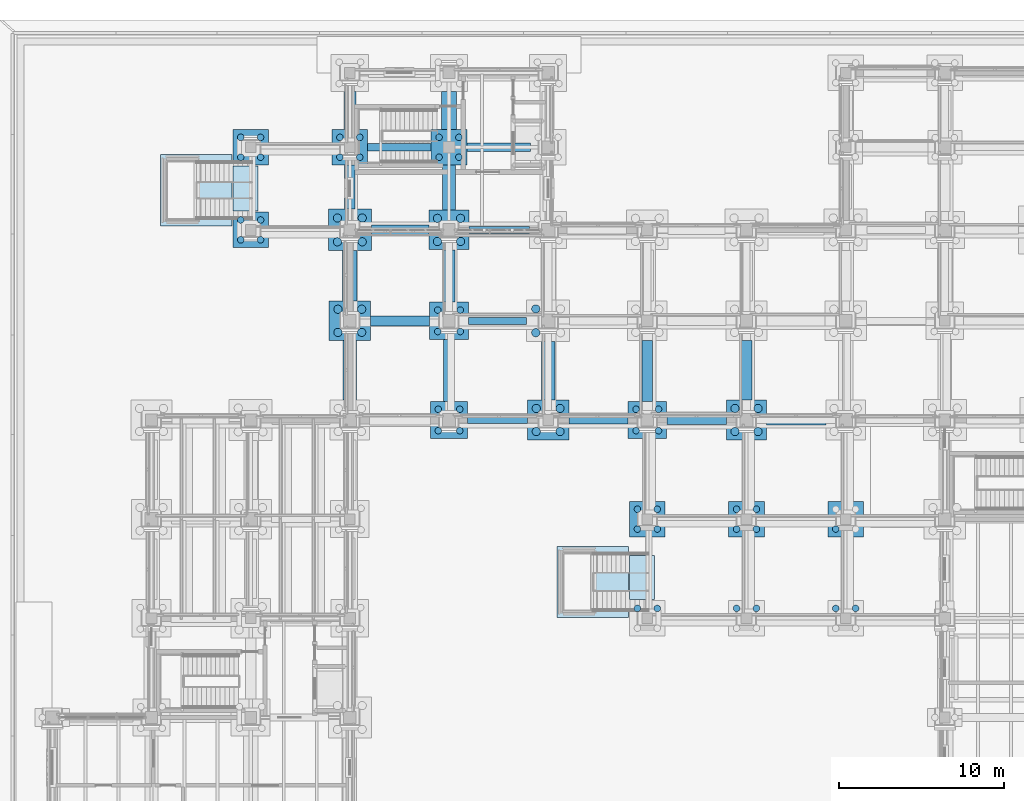
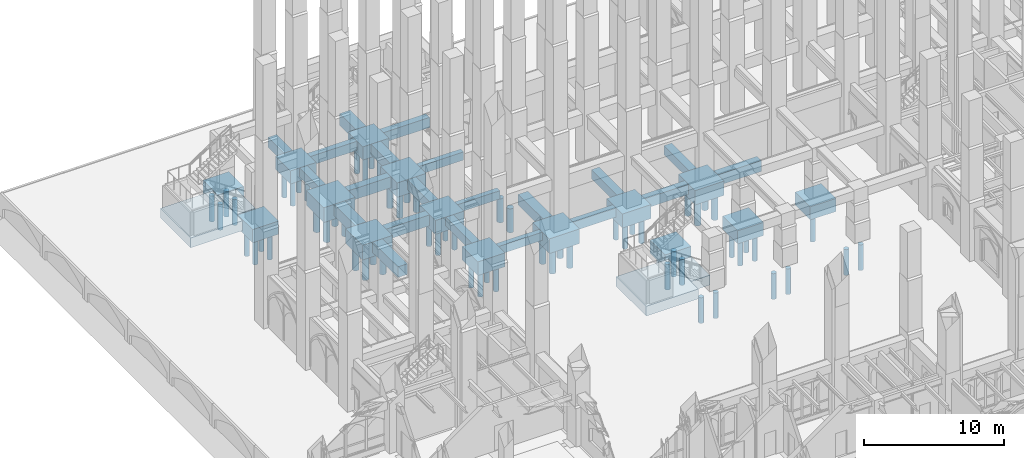
# One storey, part 4 of 135: 65 piles, 40 footings.
"""IFC4 building model written with IfcOpenShell, lengths in metres."""

from ifc_helpers import new_model, si_unit, direction, frame, origin, origin_2d, place, context, subcontext, project, spatial, polyline, rectangle, circle, outline, extrude, material, material_profile, profile_set, type_object, element, save


model = new_model("IFC4")

# Units and contexts
model_context = context("Model", 3, precision=1e-05, world=origin(), true_north=direction((0.0, 1.0)))
body_context = subcontext(model_context, "Body", "Model", "MODEL_VIEW")
ifc_project = project(units=[si_unit("LENGTHUNIT", "METRE"), si_unit("AREAUNIT", "SQUARE_METRE"), si_unit("VOLUMEUNIT", "CUBIC_METRE"), si_unit("PLANEANGLEUNIT", "RADIAN"), si_unit("MASSUNIT", "GRAM", prefix="KILO")], contexts=[model_context])

# Site, building, storey
site_placement = place(None, origin())
site = spatial("IfcSite", under=ifc_project, at=site_placement, CompositionType="ELEMENT")
building_placement = place(site_placement, origin())
building = spatial("IfcBuilding", under=site, at=building_placement, Name="Cumevento Cable Car Station", CompositionType="ELEMENT")
storey_placement = place(building_placement, origin())
storey = spatial("IfcBuildingStorey", under=building, at=storey_placement, Name="L01", CompositionType="ELEMENT", Elevation=0.0)

# Footings
ifc_material_1 = material(Name="Concrete C40/50", Category="concrete")
footing_type_1 = type_object("IfcFootingType", Name="Ground Beam GB-01 420x720", PredefinedType="FOOTING_BEAM", material=ifc_material_1)
footing_1_placement = place(storey_placement, frame((0.0, 0.0, -0.719970703125)))
element("IfcFooting", 1, at=footing_1_placement, inside=storey, type_object=footing_type_1, Name="Ground Tie Beam GB-01 #88", PredefinedType="FOOTING_BEAM", context=body_context, shape_type="SweptSolid", body=[
    extrude(outline(polyline([(29.126953125, 44.7900390625), (32.748046875, 44.7900390625), (32.748046875, 45.2099609375), (29.126953125, 45.2099609375), (29.126953125, 44.7900390625)])), origin(), (0.0, 0.0, 1.0), 0.719970703125),
])
footing_2_placement = place(storey_placement, frame((0.0, 0.0, -0.719970703125)))
element("IfcFooting", 2, at=footing_2_placement, inside=storey, type_object=footing_type_1, Name="Ground Tie Beam GB-01 #112", PredefinedType="FOOTING_BEAM", context=body_context, shape_type="SweptSolid", body=[
    extrude(outline(polyline([(29.177001953125, 50.7900390625), (32.697998046875, 50.7900390625), (32.697998046875, 51.2099609375), (29.177001953125, 51.2099609375), (29.177001953125, 50.7900390625)])), origin(), (0.0, 0.0, 1.0), 0.719970703125),
])
footing_3_placement = place(storey_placement, frame((0.0, 0.0, -0.719970703125)))
element("IfcFooting", 3, at=footing_3_placement, inside=storey, type_object=footing_type_1, Name="Ground Tie Beam GB-01 #132", PredefinedType="FOOTING_BEAM", context=body_context, shape_type="SweptSolid", body=[
    extrude(outline(polyline([(29.201904296875, 56.2900390625), (32.873046875, 56.2900390625), (32.873046875, 56.7099609375), (29.201904296875, 56.7099609375), (29.201904296875, 56.2900390625)])), origin(), (0.0, 0.0, 1.0), 0.719970703125),
])
ifc_material_2 = material(Name="Concrete C40/50", Category="concrete")
footing_type_2 = type_object("IfcFootingType", Name="Ground Beam GB-02 480x800", PredefinedType="FOOTING_BEAM", material=ifc_material_2)
footing_4_placement = place(storey_placement, frame((0.0, 0.0, -0.800048828125)))
element("IfcFooting", 4, at=footing_4_placement, inside=storey, type_object=footing_type_2, Name="Ground Tie Beam GB-02 #89", PredefinedType="FOOTING_BEAM", context=body_context, shape_type="SweptSolid", body=[
    extrude(outline(polyline([(35.251953125, 44.760009765625), (38.822998046875, 44.760009765625), (38.822998046875, 45.239990234375), (35.251953125, 45.239990234375), (35.251953125, 44.760009765625)])), origin(), (0.0, 0.0, 1.0), 0.800048828125),
])
footing_5_placement = place(storey_placement, frame((0.0, 0.0, -0.800048828125)))
element("IfcFooting", 5, at=footing_5_placement, inside=storey, type_object=footing_type_2, Name="Ground Tie Beam GB-02 #149", PredefinedType="FOOTING_BEAM", context=body_context, shape_type="SweptSolid", body=[
    extrude(outline(polyline([(23.076904296875, 61.260009765625), (26.923095703125, 61.260009765625), (26.923095703125, 61.739990234375), (23.076904296875, 61.739990234375), (23.076904296875, 61.260009765625)])), origin(), (0.0, 0.0, 1.0), 0.800048828125),
])
ifc_material_3 = material(Name="Concrete C40/50", Category="concrete")
footing_type_3 = type_object("IfcFootingType", Name="Ground Beam GB-03 540x880", PredefinedType="FOOTING_BEAM", material=ifc_material_3)
footing_6_placement = place(storey_placement, frame((0.0, 0.0, -0.8798828125)))
element("IfcFooting", 6, at=footing_6_placement, inside=storey, type_object=footing_type_3, Name="Ground Tie Beam GB-03 #90", PredefinedType="FOOTING_BEAM", context=body_context, shape_type="SweptSolid", body=[
    extrude(outline(polyline([(41.177001953125, 44.72998046875), (44.798095703125, 44.72998046875), (44.798095703125, 45.27001953125), (41.177001953125, 45.27001953125), (41.177001953125, 44.72998046875)])), origin(), (0.0, 0.0, 1.0), 0.8798828125),
])
footing_7_placement = place(storey_placement, frame((0.0, 0.0, -0.8798828125)))
element("IfcFooting", 7, at=footing_7_placement, inside=storey, type_object=footing_type_3, Name="Ground Tie Beam GB-03 #150", PredefinedType="FOOTING_BEAM", context=body_context, shape_type="SweptSolid", body=[
    extrude(outline(polyline([(29.076904296875, 61.22998046875), (32.923095703125, 61.22998046875), (32.923095703125, 61.77001953125), (29.076904296875, 61.77001953125), (29.076904296875, 61.22998046875)])), origin(), (0.0, 0.0, 1.0), 0.8798828125),
])
ifc_material_4 = material(Name="Concrete C40/50", Category="concrete")
footing_type_4 = type_object("IfcFootingType", Name="Ground Beam GB-04 600x960", PredefinedType="FOOTING_BEAM", material=ifc_material_4)
footing_8_placement = place(storey_placement, frame((0.0, 0.0, -0.9599609375)))
element("IfcFooting", 8, at=footing_8_placement, inside=storey, type_object=footing_type_4, Name="Ground Tie Beam GB-04 #91", PredefinedType="FOOTING_BEAM", context=body_context, shape_type="SweptSolid", body=[
    extrude(outline(polyline([(47.201904296875, 44.699951171875), (50.798095703125, 44.699951171875), (50.798095703125, 45.300048828125), (47.201904296875, 45.300048828125), (47.201904296875, 44.699951171875)])), origin(), (0.0, 0.0, 1.0), 0.9599609375),
])
footing_9_placement = place(storey_placement, frame((0.0, 0.0, -0.9599609375)))
element("IfcFooting", 9, at=footing_9_placement, inside=storey, type_object=footing_type_4, Name="Ground Tie Beam GB-04 #111", PredefinedType="FOOTING_BEAM", context=body_context, shape_type="SweptSolid", body=[
    extrude(outline(polyline([(23.251953125, 50.699951171875), (26.822998046875, 50.699951171875), (26.822998046875, 51.300048828125), (23.251953125, 51.300048828125), (23.251953125, 50.699951171875)])), origin(), (0.0, 0.0, 1.0), 0.9599609375),
])
footing_10_placement = place(storey_placement, frame((0.0, 0.0, -0.9599609375)))
element("IfcFooting", 10, at=footing_10_placement, inside=storey, type_object=footing_type_4, Name="Ground Tie Beam GB-04 #131", PredefinedType="FOOTING_BEAM", context=body_context, shape_type="SweptSolid", body=[
    extrude(outline(polyline([(23.302001953125, 56.199951171875), (26.798095703125, 56.199951171875), (26.798095703125, 56.800048828125), (23.302001953125, 56.800048828125), (23.302001953125, 56.199951171875)])), origin(), (0.0, 0.0, 1.0), 0.9599609375),
])

# Piles
ifc_material_5 = material(Name="Concrete C40/50", Category="concrete")
ifc_material_profile_1 = material_profile(ifc_material_5, circle(Radius=0.199951171875, at=origin_2d()), Name="PILE-D400")
ifc_profile_set_1 = profile_set([ifc_material_profile_1], Name="Concrete C40/50")
pile_type_1 = type_object("IfcPileType", Name="PILE-BORED-400", PredefinedType="BORED", material=ifc_profile_set_1)
for number, where, z_axis, x_axis, name in (
    (11, (21.39990234375, 60.89990234375, -1.14990234375), (0.0, 0.0, -1.0), (1.0, 0.0, 0.0), "Bored Pile PL-400 #79"),
    (12, (22.60009765625, 60.89990234375, -1.14990234375), (0.0, 0.0, -1.0), (1.0, 0.0, 0.0), "Bored Pile PL-400 #80"),
    (13, (21.39990234375, 62.10009765625, -1.14990234375), (0.0, 0.0, -1.0), (1.0, 0.0, 0.0), "Bored Pile PL-400 #81"),
    (14, (22.60009765625, 62.10009765625, -1.14990234375), (0.0, 0.0, -1.0), (1.0, 0.0, 0.0), "Bored Pile PL-400 #82"),
):
    element("IfcPile", number, at=place(storey_placement, frame(where, z_axis=z_axis, x_axis=x_axis)), inside=storey, type_object=pile_type_1, Name=name, PredefinedType="BORED", context=body_context, shape_type="SweptSolid", body=[
        extrude(circle(Radius=0.199951171875, at=origin_2d()), origin(), (0.0, 0.0, 1.0), 2.25),
    ])
for number, where, z_axis, x_axis, name in (
    (15, (27.35009765625, 44.35009765625, -1.199951171875), (0.0, 0.0, -1.0), (1.0, 0.0, 0.0), "Bored Pile PL-400 #93"),
    (16, (28.64990234375, 44.35009765625, -1.199951171875), (0.0, 0.0, -1.0), (1.0, 0.0, 0.0), "Bored Pile PL-400 #94"),
    (17, (27.35009765625, 45.64990234375, -1.199951171875), (0.0, 0.0, -1.0), (1.0, 0.0, 0.0), "Bored Pile PL-400 #95"),
    (18, (28.64990234375, 45.64990234375, -1.199951171875), (0.0, 0.0, -1.0), (1.0, 0.0, 0.0), "Bored Pile PL-400 #96"),
):
    element("IfcPile", number, at=place(storey_placement, frame(where, z_axis=z_axis, x_axis=x_axis)), inside=storey, type_object=pile_type_1, Name=name, PredefinedType="BORED", context=body_context, shape_type="SweptSolid", body=[
        extrude(circle(Radius=0.199951171875, at=origin_2d()), origin(), (0.0, 0.0, 1.0), 2.199951171875),
    ])
for number, where, z_axis, x_axis, name in (
    (19, (27.320068359375, 50.35009765625, -1.219970703125), (0.0, 0.0, -1.0), (1.0, 0.0, 0.0), "Bored Pile PL-400 #97"),
    (20, (28.679931640625, 50.35009765625, -1.219970703125), (0.0, 0.0, -1.0), (1.0, 0.0, 0.0), "Bored Pile PL-400 #98"),
    (21, (27.320068359375, 51.64990234375, -1.219970703125), (0.0, 0.0, -1.0), (1.0, 0.0, 0.0), "Bored Pile PL-400 #99"),
    (22, (28.679931640625, 51.64990234375, -1.219970703125), (0.0, 0.0, -1.0), (1.0, 0.0, 0.0), "Bored Pile PL-400 #100"),
):
    element("IfcPile", number, at=place(storey_placement, frame(where, z_axis=z_axis, x_axis=x_axis)), inside=storey, type_object=pile_type_1, Name=name, PredefinedType="BORED", context=body_context, shape_type="SweptSolid", body=[
        extrude(circle(Radius=0.199951171875, at=origin_2d()), origin(), (0.0, 0.0, 1.0), 2.179931640625),
    ])
for number, where, z_axis, x_axis, name in (
    (23, (27.39990234375, 60.89990234375, -1.14990234375), (0.0, 0.0, -1.0), (1.0, 0.0, 0.0), "Bored Pile PL-400 #105"),
    (24, (28.60009765625, 60.89990234375, -1.14990234375), (0.0, 0.0, -1.0), (1.0, 0.0, 0.0), "Bored Pile PL-400 #106"),
    (25, (27.39990234375, 62.10009765625, -1.14990234375), (0.0, 0.0, -1.0), (1.0, 0.0, 0.0), "Bored Pile PL-400 #107"),
    (26, (28.60009765625, 62.10009765625, -1.14990234375), (0.0, 0.0, -1.0), (1.0, 0.0, 0.0), "Bored Pile PL-400 #108"),
):
    element("IfcPile", number, at=place(storey_placement, frame(where, z_axis=z_axis, x_axis=x_axis)), inside=storey, type_object=pile_type_1, Name=name, PredefinedType="BORED", context=body_context, shape_type="SweptSolid", body=[
        extrude(circle(Radius=0.199951171875, at=origin_2d()), origin(), (0.0, 0.0, 1.0), 2.25),
    ])
for number, where, z_axis, x_axis, name in (
    (27, (39.320068359375, 44.35009765625, -1.219970703125), (0.0, 0.0, -1.0), (1.0, 0.0, 0.0), "Bored Pile PL-400 #149"),
    (28, (40.679931640625, 44.35009765625, -1.219970703125), (0.0, 0.0, -1.0), (1.0, 0.0, 0.0), "Bored Pile PL-400 #150"),
    (29, (39.320068359375, 45.64990234375, -1.219970703125), (0.0, 0.0, -1.0), (1.0, 0.0, 0.0), "Bored Pile PL-400 #151"),
    (30, (40.679931640625, 45.64990234375, -1.219970703125), (0.0, 0.0, -1.0), (1.0, 0.0, 0.0), "Bored Pile PL-400 #152"),
):
    element("IfcPile", number, at=place(storey_placement, frame(where, z_axis=z_axis, x_axis=x_axis)), inside=storey, type_object=pile_type_1, Name=name, PredefinedType="BORED", context=body_context, shape_type="SweptSolid", body=[
        extrude(circle(Radius=0.199951171875, at=origin_2d()), origin(), (0.0, 0.0, 1.0), 2.179931640625),
    ])
for number, where, z_axis, x_axis, name in (
    (31, (39.39990234375, 33.60009765625, -1.14990234375), (0.0, 0.0, -1.0), (1.0, 0.0, 0.0), "Bored Pile PL-400 Ext #19"),
    (32, (40.60009765625, 33.60009765625, -1.14990234375), (0.0, 0.0, -1.0), (1.0, 0.0, 0.0), "Bored Pile PL-400 Ext #20"),
    (33, (39.39990234375, 38.39990234375, -1.14990234375), (0.0, 0.0, -1.0), (1.0, 0.0, 0.0), "Bored Pile PL-400 Ext #21"),
    (34, (40.60009765625, 38.39990234375, -1.14990234375), (0.0, 0.0, -1.0), (1.0, 0.0, 0.0), "Bored Pile PL-400 Ext #22"),
    (35, (39.39990234375, 39.60009765625, -1.14990234375), (0.0, 0.0, -1.0), (1.0, 0.0, 0.0), "Bored Pile PL-400 Ext #23"),
    (36, (40.60009765625, 39.60009765625, -1.14990234375), (0.0, 0.0, -1.0), (1.0, 0.0, 0.0), "Bored Pile PL-400 Ext #24"),
    (37, (45.39990234375, 33.60009765625, -1.14990234375), (0.0, 0.0, -1.0), (1.0, 0.0, 0.0), "Bored Pile PL-400 Ext #27"),
    (38, (46.60009765625, 33.60009765625, -1.14990234375), (0.0, 0.0, -1.0), (1.0, 0.0, 0.0), "Bored Pile PL-400 Ext #28"),
    (39, (45.39990234375, 38.39990234375, -1.14990234375), (0.0, 0.0, -1.0), (1.0, 0.0, 0.0), "Bored Pile PL-400 Ext #29"),
    (40, (46.60009765625, 38.39990234375, -1.14990234375), (0.0, 0.0, -1.0), (1.0, 0.0, 0.0), "Bored Pile PL-400 Ext #30"),
    (41, (45.39990234375, 39.60009765625, -1.14990234375), (0.0, 0.0, -1.0), (1.0, 0.0, 0.0), "Bored Pile PL-400 Ext #31"),
    (42, (46.60009765625, 39.60009765625, -1.14990234375), (0.0, 0.0, -1.0), (1.0, 0.0, 0.0), "Bored Pile PL-400 Ext #32"),
    (43, (51.39990234375, 33.60009765625, -1.14990234375), (0.0, 0.0, -1.0), (1.0, 0.0, 0.0), "Bored Pile PL-400 Ext #35"),
    (44, (52.60009765625, 33.60009765625, -1.14990234375), (0.0, 0.0, -1.0), (1.0, 0.0, 0.0), "Bored Pile PL-400 Ext #36"),
    (45, (51.39990234375, 38.39990234375, -1.14990234375), (0.0, 0.0, -1.0), (1.0, 0.0, 0.0), "Bored Pile PL-400 Ext #37"),
    (46, (15.39990234375, 55.89990234375, -1.14990234375), (0.0, 0.0, -1.0), (1.0, 0.0, 0.0), "Bored Pile PL-400 Ext #49"),
    (47, (16.60009765625, 55.89990234375, -1.14990234375), (0.0, 0.0, -1.0), (1.0, 0.0, 0.0), "Bored Pile PL-400 Ext #50"),
    (48, (15.39990234375, 57.10009765625, -1.14990234375), (0.0, 0.0, -1.0), (1.0, 0.0, 0.0), "Bored Pile PL-400 Ext #51"),
    (49, (16.60009765625, 57.10009765625, -1.14990234375), (0.0, 0.0, -1.0), (1.0, 0.0, 0.0), "Bored Pile PL-400 Ext #52"),
    (50, (15.39990234375, 60.89990234375, -1.14990234375), (0.0, 0.0, -1.0), (1.0, 0.0, 0.0), "Bored Pile PL-400 Ext #53"),
    (51, (16.60009765625, 60.89990234375, -1.14990234375), (0.0, 0.0, -1.0), (1.0, 0.0, 0.0), "Bored Pile PL-400 Ext #54"),
    (52, (15.39990234375, 62.10009765625, -1.14990234375), (0.0, 0.0, -1.0), (1.0, 0.0, 0.0), "Bored Pile PL-400 Ext #55"),
    (53, (16.60009765625, 62.10009765625, -1.14990234375), (0.0, 0.0, -1.0), (1.0, 0.0, 0.0), "Bored Pile PL-400 Ext #56"),
):
    element("IfcPile", number, at=place(storey_placement, frame(where, z_axis=z_axis, x_axis=x_axis)), inside=storey, type_object=pile_type_1, Name=name, PredefinedType="BORED", context=body_context, shape_type="SweptSolid", body=[
        extrude(circle(Radius=0.199951171875, at=origin_2d()), origin(), (0.0, 0.0, 1.0), 2.25),
    ])
ifc_material_6 = material(Name="Concrete C40/50", Category="concrete")
ifc_material_profile_2 = material_profile(ifc_material_6, circle(Radius=0.25, at=origin_2d()), Name="PILE-D500")
ifc_profile_set_2 = profile_set([ifc_material_profile_2], Name="Concrete C40/50")
pile_type_2 = type_object("IfcPileType", Name="PILE-BORED-500", PredefinedType="BORED", material=ifc_profile_set_2)
for number, where, z_axis, x_axis, name in (
    (54, (21.280029296875, 50.300048828125, -1.280029296875), (0.0, 0.0, -1.0), (1.0, 0.0, 0.0), "Bored Pile PL-500 #71"),
    (55, (22.719970703125, 50.300048828125, -1.280029296875), (0.0, 0.0, -1.0), (1.0, 0.0, 0.0), "Bored Pile PL-500 #72"),
    (56, (21.280029296875, 51.699951171875, -1.280029296875), (0.0, 0.0, -1.0), (1.0, 0.0, 0.0), "Bored Pile PL-500 #73"),
    (57, (22.719970703125, 51.699951171875, -1.280029296875), (0.0, 0.0, -1.0), (1.0, 0.0, 0.0), "Bored Pile PL-500 #74"),
):
    element("IfcPile", number, at=place(storey_placement, frame(where, z_axis=z_axis, x_axis=x_axis)), inside=storey, type_object=pile_type_2, Name=name, PredefinedType="BORED", context=body_context, shape_type="SweptSolid", body=[
        extrude(circle(Radius=0.25, at=origin_2d()), origin(), (0.0, 0.0, 1.0), 2.1201171875),
    ])
for number, where, z_axis, x_axis, name in (
    (58, (21.25, 55.780029296875, -1.300048828125), (0.0, 0.0, -1.0), (1.0, 0.0, 0.0), "Bored Pile PL-500 #75"),
    (59, (22.75, 55.780029296875, -1.300048828125), (0.0, 0.0, -1.0), (1.0, 0.0, 0.0), "Bored Pile PL-500 #76"),
    (60, (21.25, 57.219970703125, -1.300048828125), (0.0, 0.0, -1.0), (1.0, 0.0, 0.0), "Bored Pile PL-500 #77"),
    (61, (22.75, 57.219970703125, -1.300048828125), (0.0, 0.0, -1.0), (1.0, 0.0, 0.0), "Bored Pile PL-500 #78"),
):
    element("IfcPile", number, at=place(storey_placement, frame(where, z_axis=z_axis, x_axis=x_axis)), inside=storey, type_object=pile_type_2, Name=name, PredefinedType="BORED", context=body_context, shape_type="SweptSolid", body=[
        extrude(circle(Radius=0.25, at=origin_2d()), origin(), (0.0, 0.0, 1.0), 2.10009765625),
    ])
for number, where, z_axis, x_axis, name in (
    (62, (27.300048828125, 55.800048828125, -1.25), (0.0, 0.0, -1.0), (1.0, 0.0, 0.0), "Bored Pile PL-500 #101"),
    (63, (28.699951171875, 55.800048828125, -1.25), (0.0, 0.0, -1.0), (1.0, 0.0, 0.0), "Bored Pile PL-500 #102"),
    (64, (27.300048828125, 57.199951171875, -1.25), (0.0, 0.0, -1.0), (1.0, 0.0, 0.0), "Bored Pile PL-500 #103"),
    (65, (28.699951171875, 57.199951171875, -1.25), (0.0, 0.0, -1.0), (1.0, 0.0, 0.0), "Bored Pile PL-500 #104"),
):
    element("IfcPile", number, at=place(storey_placement, frame(where, z_axis=z_axis, x_axis=x_axis)), inside=storey, type_object=pile_type_2, Name=name, PredefinedType="BORED", context=body_context, shape_type="SweptSolid", body=[
        extrude(circle(Radius=0.25, at=origin_2d()), origin(), (0.0, 0.0, 1.0), 2.14990234375),
    ])
for number, where, z_axis, x_axis, name in (
    (66, (33.280029296875, 44.300048828125, -1.280029296875), (0.0, 0.0, -1.0), (1.0, 0.0, 0.0), "Bored Pile PL-500 #119"),
    (67, (34.719970703125, 44.300048828125, -1.280029296875), (0.0, 0.0, -1.0), (1.0, 0.0, 0.0), "Bored Pile PL-500 #120"),
    (68, (33.280029296875, 45.699951171875, -1.280029296875), (0.0, 0.0, -1.0), (1.0, 0.0, 0.0), "Bored Pile PL-500 #121"),
    (69, (34.719970703125, 45.699951171875, -1.280029296875), (0.0, 0.0, -1.0), (1.0, 0.0, 0.0), "Bored Pile PL-500 #122"),
):
    element("IfcPile", number, at=place(storey_placement, frame(where, z_axis=z_axis, x_axis=x_axis)), inside=storey, type_object=pile_type_2, Name=name, PredefinedType="BORED", context=body_context, shape_type="SweptSolid", body=[
        extrude(circle(Radius=0.25, at=origin_2d()), origin(), (0.0, 0.0, 1.0), 2.1201171875),
    ])
for number, where, z_axis, x_axis, name in (
    (70, (33.25, 50.280029296875, -1.300048828125), (0.0, 0.0, -1.0), (1.0, 0.0, 0.0), "Bored Pile PL-500 #123"),
    (71, (33.25, 51.719970703125, -1.300048828125), (0.0, 0.0, -1.0), (1.0, 0.0, 0.0), "Bored Pile PL-500 #125"),
):
    element("IfcPile", number, at=place(storey_placement, frame(where, z_axis=z_axis, x_axis=x_axis)), inside=storey, type_object=pile_type_2, Name=name, PredefinedType="BORED", context=body_context, shape_type="SweptSolid", body=[
        extrude(circle(Radius=0.25, at=origin_2d()), origin(), (0.0, 0.0, 1.0), 2.10009765625),
    ])
for number, where, z_axis, x_axis, name in (
    (72, (45.300048828125, 44.300048828125, -1.25), (0.0, 0.0, -1.0), (1.0, 0.0, 0.0), "Bored Pile PL-500 #167"),
    (73, (46.699951171875, 44.300048828125, -1.25), (0.0, 0.0, -1.0), (1.0, 0.0, 0.0), "Bored Pile PL-500 #168"),
    (74, (45.300048828125, 45.699951171875, -1.25), (0.0, 0.0, -1.0), (1.0, 0.0, 0.0), "Bored Pile PL-500 #169"),
    (75, (46.699951171875, 45.699951171875, -1.25), (0.0, 0.0, -1.0), (1.0, 0.0, 0.0), "Bored Pile PL-500 #170"),
):
    element("IfcPile", number, at=place(storey_placement, frame(where, z_axis=z_axis, x_axis=x_axis)), inside=storey, type_object=pile_type_2, Name=name, PredefinedType="BORED", context=body_context, shape_type="SweptSolid", body=[
        extrude(circle(Radius=0.25, at=origin_2d()), origin(), (0.0, 0.0, 1.0), 2.14990234375),
    ])

# Footings
ifc_material_7 = material(Name="Concrete C40/50", Category="concrete")
footing_type_5 = type_object("IfcFootingType", Name="Pile Cap PC-06 2150x2150x1150", PredefinedType="PILE_CAP", material=ifc_material_7)
for number, where, z_axis, x_axis, name in (
    (76, (22.0, 61.5, -1.14990234375), (0.0, 0.0, 1.0), (1.0, 0.0, 0.0), "Pile Cap PC-06 at (22.0,61.5)"),
    (77, (28.0, 61.5, -1.14990234375), (0.0, 0.0, 1.0), (1.0, 0.0, 0.0), "Pile Cap PC-06 at (28.0,61.5)"),
    (78, (40.0, 39.0, -1.14990234375), (0.0, 0.0, 1.0), (1.0, 0.0, 0.0), "Pile Cap PC-06 at (40.0,39.0)"),
    (79, (46.0, 39.0, -1.14990234375), (0.0, 0.0, 1.0), (1.0, 0.0, 0.0), "Pile Cap PC-06 at (46.0,39.0)"),
    (80, (52.0, 39.0, -1.14990234375), (0.0, 0.0, 1.0), (1.0, 0.0, 0.0), "Pile Cap PC-06 at (52.0,39.0)"),
    (81, (16.0, 56.5, -1.14990234375), (0.0, 0.0, 1.0), (1.0, 0.0, 0.0), "Pile Cap PC-06 at (16.0,56.5)"),
    (82, (16.0, 61.5, -1.14990234375), (0.0, 0.0, 1.0), (1.0, 0.0, 0.0), "Pile Cap PC-06 at (16.0,61.5)"),
):
    element("IfcFooting", number, at=place(storey_placement, frame(where, z_axis=z_axis, x_axis=x_axis)), inside=storey, type_object=footing_type_5, Name=name, PredefinedType="PILE_CAP", context=body_context, shape_type="SweptSolid", body=[
        extrude(rectangle(XDim=2.14990234375, YDim=2.14990234375, at=origin_2d()), origin(), (0.0, 0.0, 1.0), 1.14990234375),
    ])
ifc_material_8 = material(Name="Concrete C40/50", Category="concrete")
footing_type_6 = type_object("IfcFootingType", Name="Pile Cap PC-07 2250x2250x1200", PredefinedType="PILE_CAP", material=ifc_material_8)
footing_11_placement = place(storey_placement, frame((28.0, 45.0, -1.2001953125), z_axis=(0.0, 0.0, 1.0), x_axis=(1.0, 0.0, 0.0)))
element("IfcFooting", 83, at=footing_11_placement, inside=storey, type_object=footing_type_6, Name="Pile Cap PC-07 at (28.0,45.0)", PredefinedType="PILE_CAP", context=body_context, shape_type="SweptSolid", body=[
    extrude(rectangle(XDim=2.25, YDim=2.25, at=origin_2d()), origin(), (0.0, 0.0, 1.0), 1.199951171875),
])
ifc_material_9 = material(Name="Concrete C40/50", Category="concrete")
footing_type_7 = type_object("IfcFootingType", Name="Pile Cap PC-08 2350x2250x1220", PredefinedType="PILE_CAP", material=ifc_material_9)
for number, where, z_axis, x_axis, name in (
    (84, (28.0, 51.0, -1.22021484375), (0.0, 0.0, 1.0), (1.0, 0.0, 0.0), "Pile Cap PC-08 at (28.0,51.0)"),
    (85, (40.0, 45.0, -1.22021484375), (0.0, 0.0, 1.0), (1.0, 0.0, 0.0), "Pile Cap PC-08 at (40.0,45.0)"),
):
    element("IfcFooting", number, at=place(storey_placement, frame(where, z_axis=z_axis, x_axis=x_axis)), inside=storey, type_object=footing_type_7, Name=name, PredefinedType="PILE_CAP", context=body_context, shape_type="SweptSolid", body=[
        extrude(rectangle(XDim=2.35009765625, YDim=2.25, at=origin_2d()), origin(), (0.0, 0.0, 1.0), 1.219970703125),
    ])
ifc_material_10 = material(Name="Concrete C40/50", Category="concrete")
footing_type_8 = type_object("IfcFootingType", Name="Pile Cap PC-09 2400x2400x1250", PredefinedType="PILE_CAP", material=ifc_material_10)
for number, where, z_axis, x_axis, name in (
    (86, (28.0, 56.5, -1.25), (0.0, 0.0, 1.0), (1.0, 0.0, 0.0), "Pile Cap PC-09 at (28.0,56.5)"),
    (87, (46.0, 45.0, -1.25), (0.0, 0.0, 1.0), (1.0, 0.0, 0.0), "Pile Cap PC-09 at (46.0,45.0)"),
):
    element("IfcFooting", number, at=place(storey_placement, frame(where, z_axis=z_axis, x_axis=x_axis)), inside=storey, type_object=footing_type_8, Name=name, PredefinedType="PILE_CAP", context=body_context, shape_type="SweptSolid", body=[
        extrude(rectangle(XDim=2.39990234375, YDim=2.39990234375, at=origin_2d()), origin(), (0.0, 0.0, 1.0), 1.25),
    ])
ifc_material_11 = material(Name="Concrete C40/50", Category="concrete")
footing_type_9 = type_object("IfcFootingType", Name="Pile Cap PC-10 2500x2400x1280", PredefinedType="PILE_CAP", material=ifc_material_11)
for number, where, z_axis, x_axis, name in (
    (88, (22.0, 51.0, -1.27978515625), (0.0, 0.0, 1.0), (1.0, 0.0, 0.0), "Pile Cap PC-10 at (22.0,51.0)"),
    (89, (34.0, 45.0, -1.27978515625), (0.0, 0.0, 1.0), (1.0, 0.0, 0.0), "Pile Cap PC-10 at (34.0,45.0)"),
):
    element("IfcFooting", number, at=place(storey_placement, frame(where, z_axis=z_axis, x_axis=x_axis)), inside=storey, type_object=footing_type_9, Name=name, PredefinedType="PILE_CAP", context=body_context, shape_type="SweptSolid", body=[
        extrude(rectangle(XDim=2.5, YDim=2.39990234375, at=origin_2d()), origin(), (0.0, 0.0, 1.0), 1.280029296875),
    ])
ifc_material_12 = material(Name="Concrete C40/50", Category="concrete")
footing_type_10 = type_object("IfcFootingType", Name="Pile Cap PC-11 2600x2500x1300", PredefinedType="PILE_CAP", material=ifc_material_12)
footing_12_placement = place(storey_placement, frame((22.0, 56.5, -1.2998046875), z_axis=(0.0, 0.0, 1.0), x_axis=(1.0, 0.0, 0.0)))
element("IfcFooting", 90, at=footing_12_placement, inside=storey, type_object=footing_type_10, Name="Pile Cap PC-11 at (22.0,56.5)", PredefinedType="PILE_CAP", context=body_context, shape_type="SweptSolid", body=[
    extrude(rectangle(XDim=2.60009765625, YDim=2.5, at=origin_2d()), origin(), (0.0, 0.0, 1.0), 1.300048828125),
])
ifc_material_13 = material(Name="Concrete C40/50", Category="concrete")
footing_type_11 = type_object("IfcFootingType", Name="Strip Footing SF-01 640x780", PredefinedType="STRIP_FOOTING", material=ifc_material_13)
footing_13_placement = place(storey_placement, frame((0.0, 0.0, -0.780029296875)))
element("IfcFooting", 91, at=footing_13_placement, inside=storey, type_object=footing_type_11, Name="Strip Footing SF-01 #180", PredefinedType="STRIP_FOOTING", context=body_context, shape_type="SweptSolid", body=[
    extrude(outline(polyline([(21.679931640625, 57.751953125), (22.320068359375, 57.751953125), (22.320068359375, 60.423095703125), (21.679931640625, 60.423095703125), (21.679931640625, 57.751953125)])), origin(), (0.0, 0.0, 1.0), 0.780029296875),
])
footing_14_placement = place(storey_placement, frame((0.0, 0.0, -0.780029296875)))
element("IfcFooting", 92, at=footing_14_placement, inside=storey, type_object=footing_type_11, Name="Strip Footing SF-01 #184", PredefinedType="STRIP_FOOTING", context=body_context, shape_type="SweptSolid", body=[
    extrude(outline(polyline([(27.679931640625, 46.126953125), (28.320068359375, 46.126953125), (28.320068359375, 49.873046875), (27.679931640625, 49.873046875), (27.679931640625, 46.126953125)])), origin(), (0.0, 0.0, 1.0), 0.780029296875),
])
footing_15_placement = place(storey_placement, frame((0.0, 0.0, -0.780029296875)))
element("IfcFooting", 93, at=footing_15_placement, inside=storey, type_object=footing_type_11, Name="Strip Footing SF-01 #196", PredefinedType="STRIP_FOOTING", context=body_context, shape_type="SweptSolid", body=[
    extrude(outline(polyline([(39.679931640625, 46.126953125), (40.320068359375, 46.126953125), (40.320068359375, 49.798095703125), (39.679931640625, 49.798095703125), (39.679931640625, 46.126953125)])), origin(), (0.0, 0.0, 1.0), 0.780029296875),
])
footing_16_placement = place(storey_placement, frame((0.0, 0.0, -0.780029296875)))
element("IfcFooting", 94, at=footing_16_placement, inside=storey, type_object=footing_type_11, Name="Strip Footing SF-01 #200", PredefinedType="STRIP_FOOTING", context=body_context, shape_type="SweptSolid", body=[
    extrude(outline(polyline([(45.679931640625, 46.201904296875), (46.320068359375, 46.201904296875), (46.320068359375, 49.798095703125), (45.679931640625, 49.798095703125), (45.679931640625, 46.201904296875)])), origin(), (0.0, 0.0, 1.0), 0.780029296875),
])
ifc_material_14 = material(Name="Concrete C40/50", Category="concrete")
footing_type_12 = type_object("IfcFootingType", Name="Strip Footing SF-02 720x860", PredefinedType="STRIP_FOOTING", material=ifc_material_14)
footing_17_placement = place(storey_placement, frame((0.0, 0.0, -0.860107421875)))
element("IfcFooting", 95, at=footing_17_placement, inside=storey, type_object=footing_type_12, Name="Strip Footing SF-02 #181", PredefinedType="STRIP_FOOTING", context=body_context, shape_type="SweptSolid", body=[
    extrude(outline(polyline([(21.639892578125, 62.576904296875), (22.360107421875, 62.576904296875), (22.360107421875, 64.873046875), (21.639892578125, 64.873046875), (21.639892578125, 62.576904296875)])), origin(), (0.0, 0.0, 1.0), 0.860107421875),
])
footing_18_placement = place(storey_placement, frame((0.0, 0.0, -0.860107421875)))
element("IfcFooting", 96, at=footing_18_placement, inside=storey, type_object=footing_type_12, Name="Strip Footing SF-02 #185", PredefinedType="STRIP_FOOTING", context=body_context, shape_type="SweptSolid", body=[
    extrude(outline(polyline([(27.639892578125, 52.126953125), (28.360107421875, 52.126953125), (28.360107421875, 55.298095703125), (27.639892578125, 55.298095703125), (27.639892578125, 52.126953125)])), origin(), (0.0, 0.0, 1.0), 0.860107421875),
])
footing_19_placement = place(storey_placement, frame((0.0, 0.0, -0.860107421875)))
element("IfcFooting", 97, at=footing_19_placement, inside=storey, type_object=footing_type_12, Name="Exterior Stone Stair Foundation Raft ST-14", PredefinedType="STRIP_FOOTING", context=body_context, shape_type="SweptSolid", body=[
    extrude(outline(polyline([(38.860107421875, 33.050048828125), (38.860107421875, 37.35009765625), (34.550048828125, 37.35009765625), (34.550048828125, 33.050048828125), (38.860107421875, 33.050048828125)])), origin(), (0.0, 0.0, 1.0), 0.860107421875),
])
footing_20_placement = place(storey_placement, frame((0.0, 0.0, -0.860107421875)))
element("IfcFooting", 98, at=footing_20_placement, inside=storey, type_object=footing_type_12, Name="Exterior Stair Flight Toe Footing ST-14", PredefinedType="STRIP_FOOTING", context=body_context, shape_type="SweptSolid", body=[
    extrude(outline(polyline([(40.43994140625, 36.800048828125), (40.43994140625, 34.139892578125), (38.925048828125, 34.139892578125), (38.925048828125, 36.800048828125), (40.43994140625, 36.800048828125)])), origin(), (0.0, 0.0, 1.0), 0.860107421875),
])
footing_21_placement = place(storey_placement, frame((0.0, 0.0, -0.860107421875)))
element("IfcFooting", 99, at=footing_21_placement, inside=storey, type_object=footing_type_12, Name="Exterior Stone Stair Foundation Raft ST-16", PredefinedType="STRIP_FOOTING", context=body_context, shape_type="SweptSolid", body=[
    extrude(outline(polyline([(14.860107421875, 56.75), (14.860107421875, 61.050048828125), (10.550048828125, 61.050048828125), (10.550048828125, 56.75), (14.860107421875, 56.75)])), origin(), (0.0, 0.0, 1.0), 0.860107421875),
])
footing_22_placement = place(storey_placement, frame((0.0, 0.0, -0.860107421875)))
element("IfcFooting", 100, at=footing_22_placement, inside=storey, type_object=footing_type_12, Name="Exterior Stair Flight Toe Footing ST-16", PredefinedType="STRIP_FOOTING", context=body_context, shape_type="SweptSolid", body=[
    extrude(outline(polyline([(16.43994140625, 57.639892578125), (14.925048828125, 57.639892578125), (14.925048828125, 60.360107421875), (16.43994140625, 60.360107421875), (16.43994140625, 57.639892578125)])), origin(), (0.0, 0.0, 1.0), 0.860107421875),
])
ifc_material_15 = material(Name="Concrete C40/50", Category="concrete")
footing_type_13 = type_object("IfcFootingType", Name="Strip Footing SF-03 800x940", PredefinedType="STRIP_FOOTING", material=ifc_material_15)
footing_23_placement = place(storey_placement, frame((0.0, 0.0, -0.93994140625)))
element("IfcFooting", 101, at=footing_23_placement, inside=storey, type_object=footing_type_13, Name="Strip Footing SF-03 #178", PredefinedType="STRIP_FOOTING", context=body_context, shape_type="SweptSolid", body=[
    extrude(outline(polyline([(21.60009765625, 46.201904296875), (22.39990234375, 46.201904296875), (22.39990234375, 49.798095703125), (21.60009765625, 49.798095703125), (21.60009765625, 46.201904296875)])), origin(), (0.0, 0.0, 1.0), 0.93994140625),
])
footing_24_placement = place(storey_placement, frame((0.0, 0.0, -0.93994140625)))
element("IfcFooting", 102, at=footing_24_placement, inside=storey, type_object=footing_type_13, Name="Strip Footing SF-03 #186", PredefinedType="STRIP_FOOTING", context=body_context, shape_type="SweptSolid", body=[
    extrude(outline(polyline([(27.60009765625, 57.701904296875), (28.39990234375, 57.701904296875), (28.39990234375, 60.423095703125), (27.60009765625, 60.423095703125), (27.60009765625, 57.701904296875)])), origin(), (0.0, 0.0, 1.0), 0.93994140625),
])
footing_25_placement = place(storey_placement, frame((0.0, 0.0, -0.93994140625)))
element("IfcFooting", 103, at=footing_25_placement, inside=storey, type_object=footing_type_13, Name="Strip Footing SF-03 #190", PredefinedType="STRIP_FOOTING", context=body_context, shape_type="SweptSolid", body=[
    extrude(outline(polyline([(33.60009765625, 46.201904296875), (34.39990234375, 46.201904296875), (34.39990234375, 49.748046875), (33.60009765625, 49.748046875), (33.60009765625, 46.201904296875)])), origin(), (0.0, 0.0, 1.0), 0.93994140625),
])
ifc_material_16 = material(Name="Concrete C40/50", Category="concrete")
footing_type_14 = type_object("IfcFootingType", Name="Strip Footing SF-04 880x1020", PredefinedType="STRIP_FOOTING", material=ifc_material_16)
footing_26_placement = place(storey_placement, frame((0.0, 0.0, -1.02001953125)))
element("IfcFooting", 104, at=footing_26_placement, inside=storey, type_object=footing_type_14, Name="Strip Footing SF-04 #179", PredefinedType="STRIP_FOOTING", context=body_context, shape_type="SweptSolid", body=[
    extrude(outline(polyline([(21.56005859375, 52.201904296875), (22.43994140625, 52.201904296875), (22.43994140625, 55.248046875), (21.56005859375, 55.248046875), (21.56005859375, 52.201904296875)])), origin(), (0.0, 0.0, 1.0), 1.02001953125),
])
footing_27_placement = place(storey_placement, frame((0.0, 0.0, -1.02001953125)))
element("IfcFooting", 105, at=footing_27_placement, inside=storey, type_object=footing_type_14, Name="Strip Footing SF-04 #187", PredefinedType="STRIP_FOOTING", context=body_context, shape_type="SweptSolid", body=[
    extrude(outline(polyline([(27.56005859375, 62.576904296875), (28.43994140625, 62.576904296875), (28.43994140625, 64.873046875), (27.56005859375, 64.873046875), (27.56005859375, 62.576904296875)])), origin(), (0.0, 0.0, 1.0), 1.02001953125),
])

save(model, "model.ifc")
